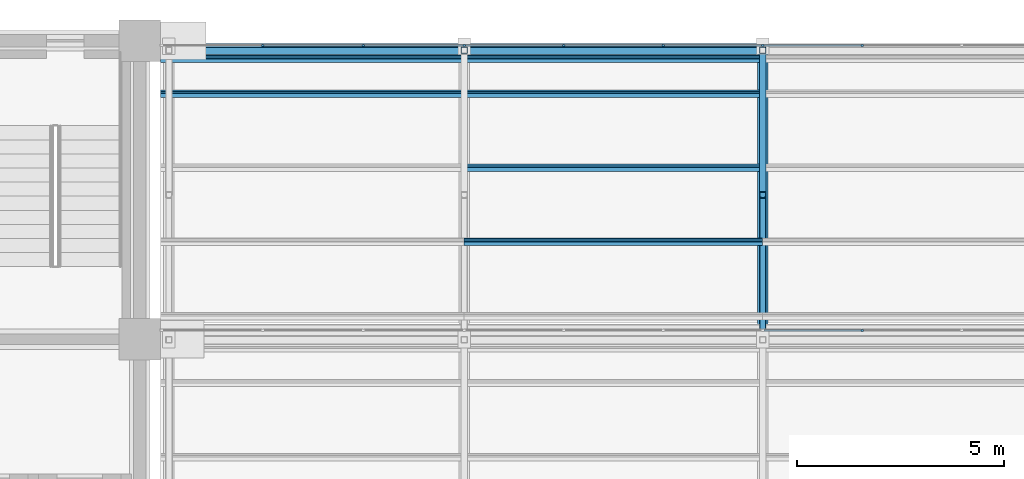
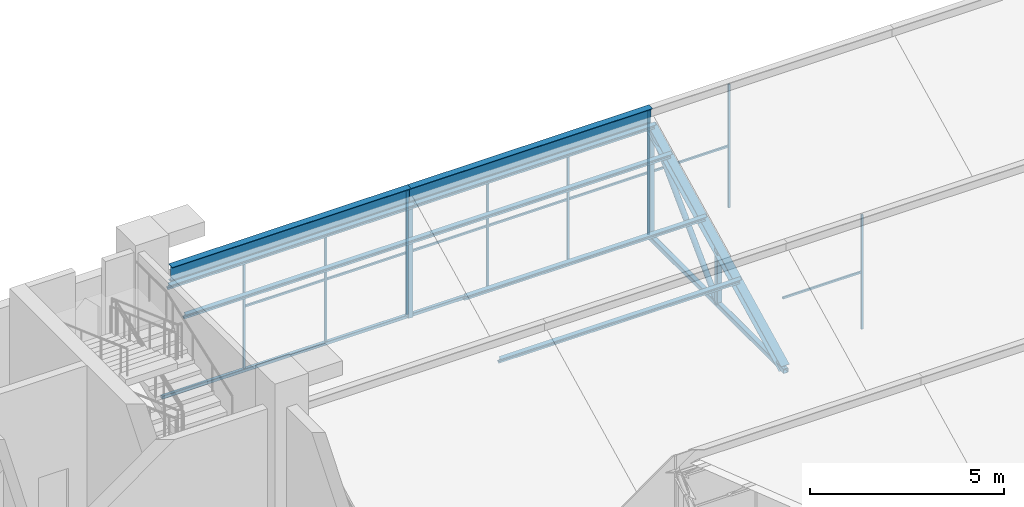
# One storey, part 38 of 83: 31 members, 4 elements without a shape of their own.
"""IFC4 building model written with IfcOpenShell, lengths in metres."""

from ifc_helpers import new_model, si_unit, direction, frame, origin, origin_2d, place, context, subcontext, project, spatial, rectangle, hollow_rectangle, hollow_circle, i_section, extrude, material, material_profile, profile_set, type_object, element, aggregate, save


model = new_model("IFC4")

# Units and contexts
model_context = context("Model", 3, precision=1e-05, world=origin(), true_north=direction((0.0, 1.0)))
body_context = subcontext(model_context, "Body", "Model", "MODEL_VIEW")
ifc_project = project(units=[si_unit("LENGTHUNIT", "METRE"), si_unit("AREAUNIT", "SQUARE_METRE"), si_unit("VOLUMEUNIT", "CUBIC_METRE"), si_unit("PLANEANGLEUNIT", "RADIAN"), si_unit("MASSUNIT", "GRAM", prefix="KILO")], contexts=[model_context])

# Site, building, storey
site_placement = place(None, origin())
site = spatial("IfcSite", under=ifc_project, at=site_placement, CompositionType="ELEMENT")
building_placement = place(site_placement, origin())
building = spatial("IfcBuilding", under=site, at=building_placement, Name="Silangan Lancet Faculty of Sciences", CompositionType="ELEMENT")
storey_placement = place(building_placement, frame((0.0, 0.0, 11.39990234375)))
storey = spatial("IfcBuildingStorey", under=building, at=storey_placement, Name="L02", CompositionType="ELEMENT", Elevation=11.39990234375)

# Members
ifc_material_1 = material(Name="Steel SS400", Category="steel")
ifc_material_profile_1 = material_profile(ifc_material_1, i_section(OverallWidth=0.199951171875, OverallDepth=0.5, WebThickness=0.010009765625, FlangeThickness=0.01611328125, FilletRadius=0.02001953125, at=origin_2d()), Name="H 500x200x10x16")
ifc_profile_set_1 = profile_set([ifc_material_profile_1], Name="Steel SS400")
member_type_1 = type_object("IfcMemberType", Name="Exposed ridge beam H 500x200x10x16", PredefinedType="MEMBER", material=ifc_profile_set_1)
member_1_placement = place(storey_placement, frame((29.5, 57.3701171875, 3.942626953125), z_axis=(1.0, 0.0, 0.0), x_axis=(0.0, 1.0, 0.0)))
element("IfcMember", 1, at=member_1_placement, inside=storey, type_object=member_type_1, Name="Exposed ridge beam NAB-3-1", PredefinedType="MEMBER", context=body_context, shape_type="SweptSolid", body=[
    extrude(i_section(OverallWidth=0.199951171875, OverallDepth=0.5, WebThickness=0.010009765625, FlangeThickness=0.01611328125, FilletRadius=0.02001953125, at=origin_2d()), origin(), (0.0, 0.0, 1.0), 7.125),
])
member_2_placement = place(storey_placement, frame((36.625, 57.3701171875, 3.942626953125), z_axis=(1.0, 0.0, 0.0), x_axis=(0.0, 1.0, 0.0)))
element("IfcMember", 2, at=member_2_placement, inside=storey, type_object=member_type_1, Name="Exposed ridge beam NAB-3-2", PredefinedType="MEMBER", context=body_context, shape_type="SweptSolid", body=[
    extrude(i_section(OverallWidth=0.199951171875, OverallDepth=0.5, WebThickness=0.010009765625, FlangeThickness=0.01611328125, FilletRadius=0.02001953125, at=origin_2d()), origin(), (0.0, 0.0, 1.0), 7.199951171875),
])
ifc_material_2 = material(Name="Steel STKR400", Category="steel")
ifc_material_profile_2 = material_profile(ifc_material_2, hollow_rectangle(XDim=0.10009765625, YDim=0.10009765625, WallThickness=0.006103515625, InnerFilletRadius=0.006103515625, OuterFilletRadius=0.011962890625, at=origin_2d()), Name="SHS 100x100x6.0")
ifc_profile_set_2 = profile_set([ifc_material_profile_2], Name="Steel STKR400")
member_type_2 = type_object("IfcMemberType", Name="Light sill SHS 100x100x6.0", PredefinedType="MEMBER", material=ifc_profile_set_2)
member_3_placement = place(storey_placement, frame((29.300048828125, 57.485107421875, 0.050048828125), z_axis=(1.0, 0.0, 0.0), x_axis=(0.0, 1.0, 0.0)))
element("IfcMember", 3, at=member_3_placement, inside=storey, type_object=member_type_2, Name="North light sill NAB-3-1", PredefinedType="MEMBER", context=body_context, shape_type="SweptSolid", body=[
    extrude(hollow_rectangle(XDim=0.10009765625, YDim=0.10009765625, WallThickness=0.006103515625, InnerFilletRadius=0.006103515625, OuterFilletRadius=0.011962890625, at=origin_2d()), origin(), (0.0, 0.0, 1.0), 7.324951171875),
])
member_4_placement = place(storey_placement, frame((36.625, 57.485107421875, 0.050048828125), z_axis=(1.0, 0.0, 0.0), x_axis=(0.0, 1.0, 0.0)))
element("IfcMember", 4, at=member_4_placement, inside=storey, type_object=member_type_2, Name="North light sill NAB-3-2", PredefinedType="MEMBER", context=body_context, shape_type="SweptSolid", body=[
    extrude(hollow_rectangle(XDim=0.10009765625, YDim=0.10009765625, WallThickness=0.006103515625, InnerFilletRadius=0.006103515625, OuterFilletRadius=0.011962890625, at=origin_2d()), origin(), (0.0, 0.0, 1.0), 7.199951171875),
])

# Curtain wall, members
ifc_material_3 = material(Name="Aluminium and laminated glass", Category="aluminium")
curtain_wall_type = type_object("IfcCurtainWallType", Name="North light glazing system", PredefinedType="NOTDEFINED", material=ifc_material_3)
curtain_wall_1_placement = place(storey_placement, origin())
curtain_wall_1 = element("IfcCurtainWall", 5, at=curtain_wall_1_placement, inside=storey, type_object=curtain_wall_type, Name="North light glazing NAB-3-1", PredefinedType="NOTDEFINED")
ifc_material_4 = material(Name="Aluminium 6063-T6", Category="aluminium")
ifc_material_profile_3 = material_profile(ifc_material_4, rectangle(XDim=0.06005859375, YDim=0.050048828125, at=origin_2d()), Name="AL 60x50")
ifc_profile_set_3 = profile_set([ifc_material_profile_3], Name="Aluminium 6063-T6")
member_type_3 = type_object("IfcMemberType", Name="North light mullion 60x50", PredefinedType="MULLION", material=ifc_profile_set_3)
member_5_placement = place(storey_placement, frame((31.76171875, 57.485107421875, 0.10009765625), z_axis=(0.0, 0.0, 1.0), x_axis=(1.0, 0.0, 0.0)))
member_5 = element("IfcMember", 6, at=member_5_placement, type_object=member_type_3, Name="North light mullion NAB-3-1 2", PredefinedType="MULLION", context=body_context, shape_type="SweptSolid", body=[
    extrude(rectangle(XDim=0.06005859375, YDim=0.050048828125, at=origin_2d()), origin(), (0.0, 0.0, 1.0), 3.89404296875),
])
member_6_placement = place(storey_placement, frame((34.193359375, 57.485107421875, 0.10009765625), z_axis=(0.0, 0.0, 1.0), x_axis=(1.0, 0.0, 0.0)))
member_6 = element("IfcMember", 7, at=member_6_placement, type_object=member_type_3, Name="North light mullion NAB-3-1 3", PredefinedType="MULLION", context=body_context, shape_type="SweptSolid", body=[
    extrude(rectangle(XDim=0.06005859375, YDim=0.050048828125, at=origin_2d()), origin(), (0.0, 0.0, 1.0), 3.89404296875),
])

curtain_wall_2_placement = place(storey_placement, origin())
curtain_wall_2 = element("IfcCurtainWall", 8, at=curtain_wall_2_placement, inside=storey, type_object=curtain_wall_type, Name="North light glazing NAB-3-2", PredefinedType="NOTDEFINED")
member_7_placement = place(storey_placement, frame((36.625, 57.485107421875, 0.10009765625), z_axis=(0.0, 0.0, 1.0), x_axis=(1.0, 0.0, 0.0)))
member_7 = element("IfcMember", 9, at=member_7_placement, type_object=member_type_3, Name="North light mullion NAB-3-2 1", PredefinedType="MULLION", context=body_context, shape_type="SweptSolid", body=[
    extrude(rectangle(XDim=0.06005859375, YDim=0.050048828125, at=origin_2d()), origin(), (0.0, 0.0, 1.0), 3.89404296875),
])
member_8_placement = place(storey_placement, frame((39.02490234375, 57.485107421875, 0.10009765625), z_axis=(0.0, 0.0, 1.0), x_axis=(1.0, 0.0, 0.0)))
member_8 = element("IfcMember", 10, at=member_8_placement, type_object=member_type_3, Name="North light mullion NAB-3-2 2", PredefinedType="MULLION", context=body_context, shape_type="SweptSolid", body=[
    extrude(rectangle(XDim=0.06005859375, YDim=0.050048828125, at=origin_2d()), origin(), (0.0, 0.0, 1.0), 3.89404296875),
])
member_9_placement = place(storey_placement, frame((41.425048828125, 57.485107421875, 0.10009765625), z_axis=(0.0, 0.0, 1.0), x_axis=(1.0, 0.0, 0.0)))
member_9 = element("IfcMember", 11, at=member_9_placement, type_object=member_type_3, Name="North light mullion NAB-3-2 3", PredefinedType="MULLION", context=body_context, shape_type="SweptSolid", body=[
    extrude(rectangle(XDim=0.06005859375, YDim=0.050048828125, at=origin_2d()), origin(), (0.0, 0.0, 1.0), 3.89404296875),
])

# Curtain wall, member
curtain_wall_3_placement = place(storey_placement, origin())
curtain_wall_3 = element("IfcCurtainWall", 12, at=curtain_wall_3_placement, inside=storey, type_object=curtain_wall_type, Name="North light glazing NAB-2-3", PredefinedType="NOTDEFINED")
member_10_placement = place(storey_placement, frame((46.22509765625, 50.61328125, 0.4423828125), z_axis=(0.0, 0.0, 1.0), x_axis=(1.0, 0.0, 0.0)))
member_10 = element("IfcMember", 13, at=member_10_placement, type_object=member_type_3, Name="North light mullion NAB-2-3 2", PredefinedType="MULLION", context=body_context, shape_type="SweptSolid", body=[
    extrude(rectangle(XDim=0.06005859375, YDim=0.050048828125, at=origin_2d()), origin(), (0.0, 0.0, 1.0), 3.60595703125),
])

# Curtain wall, members
curtain_wall_4_placement = place(storey_placement, origin())
curtain_wall_4 = element("IfcCurtainWall", 14, at=curtain_wall_4_placement, inside=storey, type_object=curtain_wall_type, Name="North light glazing NAB-3-3", PredefinedType="NOTDEFINED")
member_11_placement = place(storey_placement, frame((43.824951171875, 57.485107421875, 0.10009765625), z_axis=(0.0, 0.0, 1.0), x_axis=(1.0, 0.0, 0.0)))
member_11 = element("IfcMember", 15, at=member_11_placement, type_object=member_type_3, Name="North light mullion NAB-3-3 1", PredefinedType="MULLION", context=body_context, shape_type="SweptSolid", body=[
    extrude(rectangle(XDim=0.06005859375, YDim=0.050048828125, at=origin_2d()), origin(), (0.0, 0.0, 1.0), 3.89404296875),
])
member_12_placement = place(storey_placement, frame((46.22509765625, 57.485107421875, 0.10009765625), z_axis=(0.0, 0.0, 1.0), x_axis=(1.0, 0.0, 0.0)))
member_12 = element("IfcMember", 16, at=member_12_placement, type_object=member_type_3, Name="North light mullion NAB-3-3 2", PredefinedType="MULLION", context=body_context, shape_type="SweptSolid", body=[
    extrude(rectangle(XDim=0.06005859375, YDim=0.050048828125, at=origin_2d()), origin(), (0.0, 0.0, 1.0), 3.89404296875),
])

# Member
ifc_material_5 = material(Name="Aluminium 6063-T6", Category="aluminium")
ifc_material_profile_4 = material_profile(ifc_material_5, rectangle(XDim=0.050048828125, YDim=0.06005859375, at=origin_2d()), Name="AL 50x60")
ifc_profile_set_4 = profile_set([ifc_material_profile_4], Name="Aluminium 6063-T6")
member_type_4 = type_object("IfcMemberType", Name="North light transom 50x60", PredefinedType="USERDEFINED", material=ifc_profile_set_4)
member_13_placement = place(storey_placement, frame((31.791748046875, 57.485107421875, 2.047119140625), z_axis=(1.0, 0.0, 0.0), x_axis=(0.0, 1.0, 0.0)))
member_13 = element("IfcMember", 17, at=member_13_placement, type_object=member_type_4, Name="North light transom NAB-3-1 2", ObjectType="TRANSOM", PredefinedType="USERDEFINED", context=body_context, shape_type="SweptSolid", body=[
    extrude(rectangle(XDim=0.050048828125, YDim=0.06005859375, at=origin_2d()), origin(), (0.0, 0.0, 1.0), 2.37158203125),
])

member_14_placement = place(storey_placement, frame((34.223388671875, 57.485107421875, 2.047119140625), z_axis=(1.0, 0.0, 0.0), x_axis=(0.0, 1.0, 0.0)))
member_14 = element("IfcMember", 18, at=member_14_placement, type_object=member_type_4, Name="North light transom NAB-3-1 3", ObjectType="TRANSOM", PredefinedType="USERDEFINED", context=body_context, shape_type="SweptSolid", body=[
    extrude(rectangle(XDim=0.050048828125, YDim=0.06005859375, at=origin_2d()), origin(), (0.0, 0.0, 1.0), 2.37158203125),
])

aggregate(curtain_wall_1, [member_5, member_6, member_13, member_14])

member_15_placement = place(storey_placement, frame((36.655029296875, 57.485107421875, 2.047119140625), z_axis=(1.0, 0.0, 0.0), x_axis=(0.0, 1.0, 0.0)))
member_15 = element("IfcMember", 19, at=member_15_placement, type_object=member_type_4, Name="North light transom NAB-3-2 1", ObjectType="TRANSOM", PredefinedType="USERDEFINED", context=body_context, shape_type="SweptSolid", body=[
    extrude(rectangle(XDim=0.050048828125, YDim=0.06005859375, at=origin_2d()), origin(), (0.0, 0.0, 1.0), 2.340087890625),
])

member_16_placement = place(storey_placement, frame((39.054931640625, 57.485107421875, 2.047119140625), z_axis=(1.0, 0.0, 0.0), x_axis=(0.0, 1.0, 0.0)))
member_16 = element("IfcMember", 20, at=member_16_placement, type_object=member_type_4, Name="North light transom NAB-3-2 2", ObjectType="TRANSOM", PredefinedType="USERDEFINED", context=body_context, shape_type="SweptSolid", body=[
    extrude(rectangle(XDim=0.050048828125, YDim=0.06005859375, at=origin_2d()), origin(), (0.0, 0.0, 1.0), 2.340087890625),
])

member_17_placement = place(storey_placement, frame((41.455078125, 57.485107421875, 2.047119140625), z_axis=(1.0, 0.0, 0.0), x_axis=(0.0, 1.0, 0.0)))
member_17 = element("IfcMember", 21, at=member_17_placement, type_object=member_type_4, Name="North light transom NAB-3-2 3", ObjectType="TRANSOM", PredefinedType="USERDEFINED", context=body_context, shape_type="SweptSolid", body=[
    extrude(rectangle(XDim=0.050048828125, YDim=0.06005859375, at=origin_2d()), origin(), (0.0, 0.0, 1.0), 2.33984375),
])

aggregate(curtain_wall_2, [member_7, member_8, member_9, member_15, member_16, member_17])

member_18_placement = place(storey_placement, frame((43.85498046875, 50.61328125, 2.245361328125), z_axis=(1.0, 0.0, 0.0), x_axis=(0.0, 1.0, 0.0)))
member_18 = element("IfcMember", 22, at=member_18_placement, type_object=member_type_4, Name="North light transom NAB-2-3 1", ObjectType="TRANSOM", PredefinedType="USERDEFINED", context=body_context, shape_type="SweptSolid", body=[
    extrude(rectangle(XDim=0.050048828125, YDim=0.06005859375, at=origin_2d()), origin(), (0.0, 0.0, 1.0), 2.340087890625),
])

aggregate(curtain_wall_3, [member_10, member_18])

member_19_placement = place(storey_placement, frame((43.85498046875, 57.485107421875, 2.047119140625), z_axis=(1.0, 0.0, 0.0), x_axis=(0.0, 1.0, 0.0)))
member_19 = element("IfcMember", 23, at=member_19_placement, type_object=member_type_4, Name="North light transom NAB-3-3 1", ObjectType="TRANSOM", PredefinedType="USERDEFINED", context=body_context, shape_type="SweptSolid", body=[
    extrude(rectangle(XDim=0.050048828125, YDim=0.06005859375, at=origin_2d()), origin(), (0.0, 0.0, 1.0), 2.340087890625),
])

aggregate(curtain_wall_4, [member_11, member_12, member_19])

# Members
ifc_material_6 = material(Name="Steel SS400", Category="steel")
ifc_material_profile_5 = material_profile(ifc_material_6, i_section(OverallWidth=0.10009765625, OverallDepth=0.199951171875, WebThickness=0.005615234375, FlangeThickness=0.008056640625, FilletRadius=0.008056640625, at=origin_2d()), Name="H 200x100x5.5x8")
ifc_profile_set_5 = profile_set([ifc_material_profile_5], Name="Steel SS400")
member_type_5 = type_object("IfcMemberType", Name="Sheeting purlin H 200x100x5.5x8", PredefinedType="PURLIN", material=ifc_profile_set_5)
for number, where, z_axis, x_axis, name in (
    (24, (29.300048828125, 56.3251953125, 3.31494140625), (1.0, 0.0, 0.0), (0.0, 0.894427192382, 0.447213592736), "Sheeting purlin NAB-3-1 4"),
    (25, (29.300048828125, 57.162109375, 3.7333984375), (1.0, 0.0, 0.0), (0.0, 0.894427192382, 0.447213592736), "Sheeting purlin NAB-3-1 5"),
):
    element("IfcMember", number, at=place(storey_placement, frame(where, z_axis=z_axis, x_axis=x_axis)), inside=storey, type_object=member_type_5, Name=name, PredefinedType="PURLIN", context=body_context, shape_type="SweptSolid", body=[
        extrude(i_section(OverallWidth=0.10009765625, OverallDepth=0.199951171875, WebThickness=0.005615234375, FlangeThickness=0.008056640625, FilletRadius=0.008056640625, at=origin_2d()), origin(), (0.0, 0.0, 1.0), 7.324951171875),
    ])
for number, where, z_axis, x_axis, name in (
    (26, (36.625, 52.747314453125, 1.526123046875), (1.0, 0.0, 0.0), (0.0, 0.894427192382, 0.447213592736), "Sheeting purlin NAB-3-2 2"),
    (27, (36.625, 54.5361328125, 2.420654296875), (1.0, 0.0, 0.0), (0.0, 0.894427192382, 0.447213592736), "Sheeting purlin NAB-3-2 3"),
    (28, (36.625, 56.3251953125, 3.31494140625), (1.0, 0.0, 0.0), (0.0, 0.894427192382, 0.447213592736), "Sheeting purlin NAB-3-2 4"),
    (29, (36.625, 57.162109375, 3.7333984375), (1.0, 0.0, 0.0), (0.0, 0.894427192382, 0.447213592736), "Sheeting purlin NAB-3-2 5"),
):
    element("IfcMember", number, at=place(storey_placement, frame(where, z_axis=z_axis, x_axis=x_axis)), inside=storey, type_object=member_type_5, Name=name, PredefinedType="PURLIN", context=body_context, shape_type="SweptSolid", body=[
        extrude(i_section(OverallWidth=0.10009765625, OverallDepth=0.199951171875, WebThickness=0.005615234375, FlangeThickness=0.008056640625, FilletRadius=0.008056640625, at=origin_2d()), origin(), (0.0, 0.0, 1.0), 7.199951171875),
    ])
ifc_material_7 = material(Name="Steel STKR400", Category="steel")
ifc_material_profile_6 = material_profile(ifc_material_7, hollow_rectangle(XDim=0.14990234375, YDim=0.14990234375, WallThickness=0.009033203125, InnerFilletRadius=0.009033203125, OuterFilletRadius=0.01806640625, at=origin_2d()), Name="SHS 150x150x9.0")
ifc_profile_set_6 = profile_set([ifc_material_profile_6], Name="Steel STKR400")
member_type_6 = type_object("IfcMemberType", Name="Truss bottom chord SHS 150x150x9.0", PredefinedType="CHORD", material=ifc_profile_set_6)
member_20_placement = place(storey_placement, frame((43.824951171875, 50.38818359375, 0.09521484375), z_axis=(0.0, 1.0, 0.0), x_axis=(-1.0, 0.0, 0.0)))
element("IfcMember", 30, at=member_20_placement, inside=storey, type_object=member_type_6, Name="Truss 3 bottom chord 3", PredefinedType="CHORD", context=body_context, shape_type="SweptSolid", body=[
    extrude(hollow_rectangle(XDim=0.14990234375, YDim=0.14990234375, WallThickness=0.009033203125, InnerFilletRadius=0.009033203125, OuterFilletRadius=0.01806640625, at=origin_2d()), origin(), (0.0, 0.0, 1.0), 6.98193359375),
])
ifc_material_8 = material(Name="Steel STK400", Category="steel")
ifc_material_profile_7 = material_profile(ifc_material_8, hollow_circle(Radius=0.08251953125, WallThickness=0.0048828125, at=origin_2d()), Name="CHS 165.2x5.0")
ifc_profile_set_7 = profile_set([ifc_material_profile_7], Name="Steel STK400")
member_type_7 = type_object("IfcMemberType", Name="Truss diagonal CHS 165.2x5.0", PredefinedType="BRACE", material=ifc_profile_set_7)
member_21_placement = place(storey_placement, frame((43.824951171875, 53.879150390625, 0.09521484375), z_axis=(0.0, 0.707131507361, 0.707082054147), x_axis=(-1.0, 0.0, 0.0)))
element("IfcMember", 31, at=member_21_placement, inside=storey, type_object=member_type_7, Name="Truss 3 diagonal 3", PredefinedType="BRACE", context=body_context, shape_type="SweptSolid", body=[
    extrude(hollow_circle(Radius=0.08251953125, WallThickness=0.0048828125, at=origin_2d()), origin(), (0.0, 0.0, 1.0), 4.936767578125),
])
ifc_material_9 = material(Name="Steel STKR400", Category="steel")
ifc_material_profile_8 = material_profile(ifc_material_9, hollow_rectangle(XDim=0.14990234375, YDim=0.14990234375, WallThickness=0.006103515625, InnerFilletRadius=0.006103515625, OuterFilletRadius=0.011962890625, at=origin_2d()), Name="SHS 150x150x6.0")
ifc_profile_set_8 = profile_set([ifc_material_profile_8], Name="Steel STKR400")
member_type_8 = type_object("IfcMemberType", Name="Truss post SHS 150x150x6.0", PredefinedType="POST", material=ifc_profile_set_8)
for number, where, z_axis, x_axis, name in (
    (32, (36.625, 57.3701171875, 0.09521484375), (0.0, 0.0, 1.0), (1.0, 0.0, 0.0), "Truss 2 riser post 3"),
    (33, (43.824951171875, 57.3701171875, 0.09521484375), (0.0, 0.0, 1.0), (1.0, 0.0, 0.0), "Truss 3 riser post 3"),
):
    element("IfcMember", number, at=place(storey_placement, frame(where, z_axis=z_axis, x_axis=x_axis)), inside=storey, type_object=member_type_8, Name=name, PredefinedType="POST", context=body_context, shape_type="SweptSolid", body=[
        extrude(hollow_rectangle(XDim=0.14990234375, YDim=0.14990234375, WallThickness=0.006103515625, InnerFilletRadius=0.006103515625, OuterFilletRadius=0.011962890625, at=origin_2d()), origin(), (0.0, 0.0, 1.0), 3.49072265625),
    ])
member_22_placement = place(storey_placement, frame((43.824951171875, 53.879150390625, 0.09521484375), z_axis=(0.0, 0.0, 1.0), x_axis=(1.0, 0.0, 0.0)))
element("IfcMember", 34, at=member_22_placement, inside=storey, type_object=member_type_8, Name="Truss 3 mid post 3", PredefinedType="POST", context=body_context, shape_type="SweptSolid", body=[
    extrude(hollow_rectangle(XDim=0.14990234375, YDim=0.14990234375, WallThickness=0.006103515625, InnerFilletRadius=0.006103515625, OuterFilletRadius=0.011962890625, at=origin_2d()), origin(), (0.0, 0.0, 1.0), 1.745361328125),
])
ifc_material_10 = material(Name="Steel SS400", Category="steel")
ifc_material_profile_9 = material_profile(ifc_material_10, i_section(OverallWidth=0.25, OverallDepth=0.25, WebThickness=0.009033203125, FlangeThickness=0.013916015625, FilletRadius=0.01611328125, at=origin_2d()), Name="H 250x250x9x14")
ifc_profile_set_9 = profile_set([ifc_material_profile_9], Name="Steel SS400")
member_type_9 = type_object("IfcMemberType", Name="Truss top chord H 250x250x9x14", PredefinedType="CHORD", material=ifc_profile_set_9)
member_23_placement = place(storey_placement, frame((43.824951171875, 50.46875, 0.13525390625), z_axis=(0.0, 0.894427191, 0.4472135955), x_axis=(-1.0, 0.0, 0.0)))
element("IfcMember", 35, at=member_23_placement, inside=storey, type_object=member_type_9, Name="Truss 3 top chord 3", PredefinedType="CHORD", context=body_context, shape_type="SweptSolid", body=[
    extrude(i_section(OverallWidth=0.25, OverallDepth=0.25, WebThickness=0.009033203125, FlangeThickness=0.013916015625, FilletRadius=0.01611328125, at=origin_2d()), origin(), (0.0, 0.0, 1.0), 7.716064453125),
])

save(model, "model.ifc")
